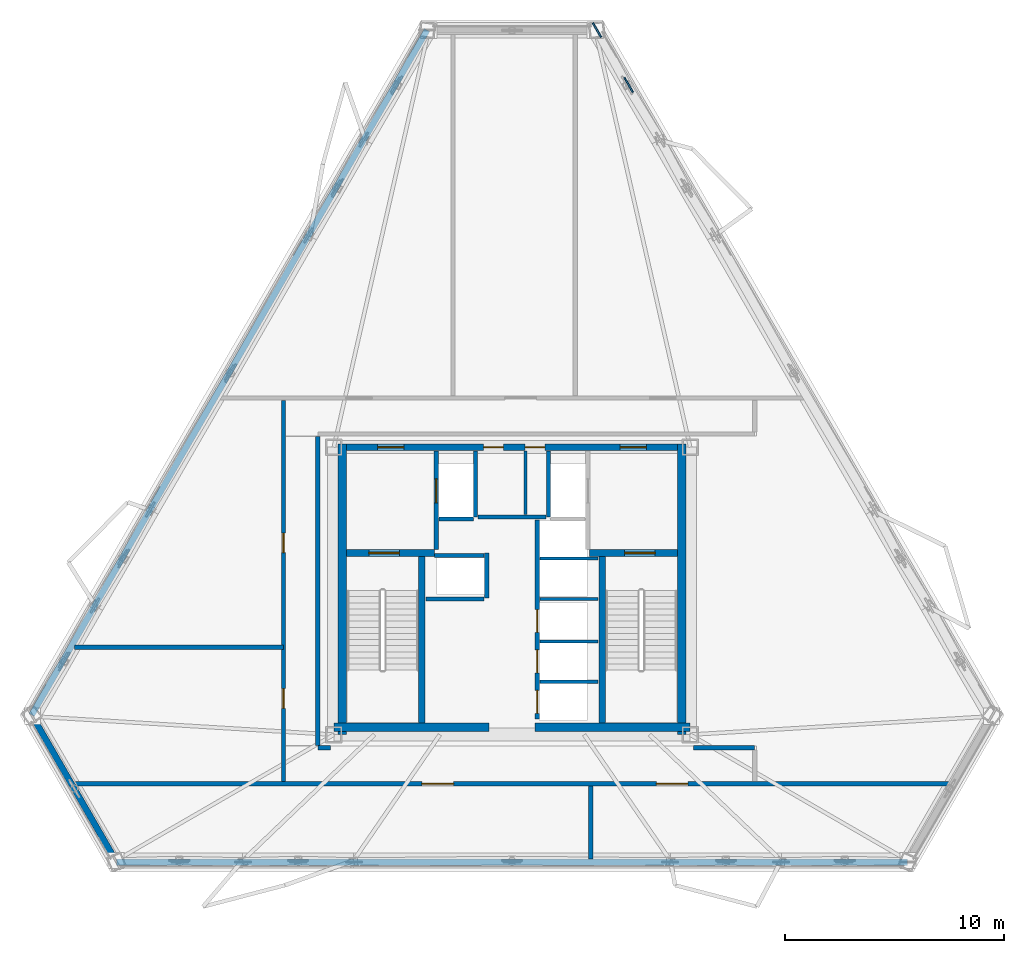
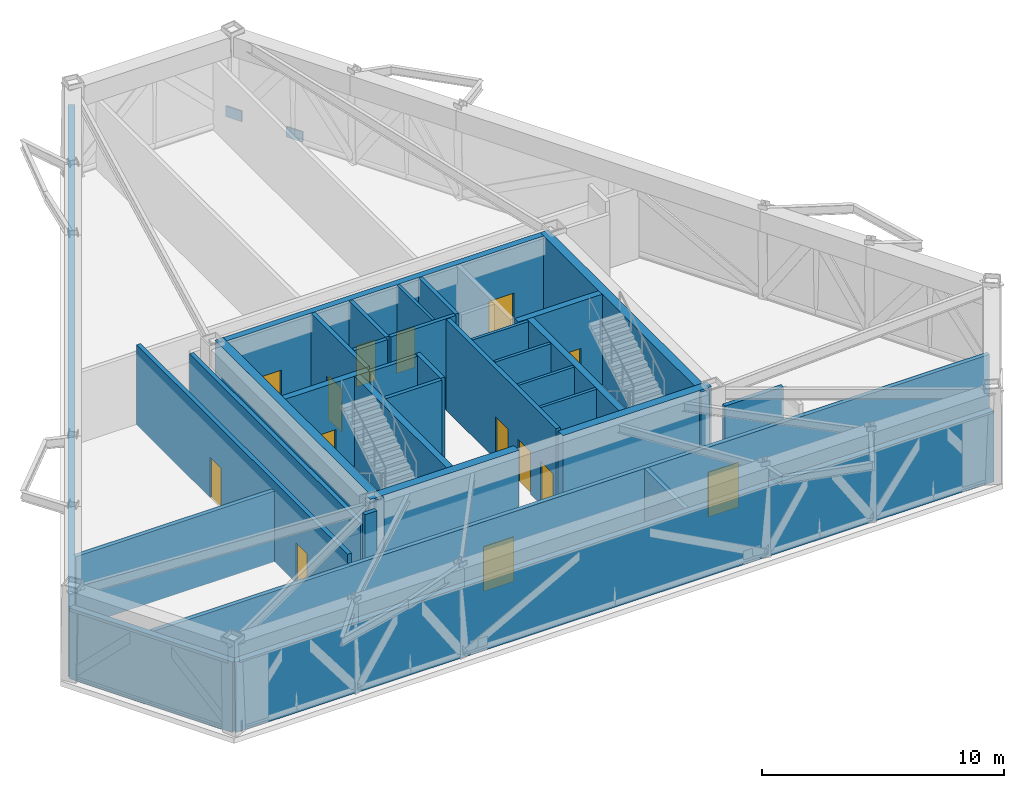
# One storey, part 6 of 10: 33 walls, 14 doors, 2 plates, 14 openings.
"""IFC4 building model written with IfcOpenShell, lengths in metres."""

from ifc_helpers import new_model, si_unit, direction, frame, frame_2d, origin, origin_2d, place, context, subcontext, project, spatial, rectangle, extrude, material, layer, layer_set, type_object, element, fill, save


model = new_model("IFC4")

# Units and contexts
model_context = context("Model", 3, precision=1e-05, world=origin(), true_north=direction((0.0, 1.0)))
body_context = subcontext(model_context, "Body", "Model", "MODEL_VIEW")
ifc_project = project(units=[si_unit("LENGTHUNIT", "METRE"), si_unit("AREAUNIT", "SQUARE_METRE"), si_unit("VOLUMEUNIT", "CUBIC_METRE"), si_unit("PLANEANGLEUNIT", "RADIAN"), si_unit("MASSUNIT", "GRAM", prefix="KILO")], contexts=[model_context])

# Site, building, storey
site_placement = place(None, origin())
site = spatial("IfcSite", under=ifc_project, at=site_placement, CompositionType="ELEMENT")
building_placement = place(site_placement, origin())
building = spatial("IfcBuilding", under=site, at=building_placement, Name="Oramaril Tower", CompositionType="ELEMENT")
storey_placement = place(building_placement, frame((0.0, 0.0, 189.0)))
storey = spatial("IfcBuildingStorey", under=building, at=storey_placement, Name="L50", CompositionType="ELEMENT", Elevation=189.0)

# Plates
ifc_material_1 = material(Name="Steel ASTM A572 Gr 50", Category="steel")
ifc_layer_1 = layer(ifc_material_1, 0.074951171875)
ifc_layer_set_1 = layer_set([ifc_layer_1], Name="PLT-G75")
plate_type = type_object("IfcPlateType", Name="PLT-G75", PredefinedType="USERDEFINED", material=ifc_layer_set_1)
plate_1_placement = place(storey_placement, frame((42.831787109375, 40.722412109375, 0.110107421875), z_axis=(0.0, 0.0, 1.0), x_axis=(-0.499996976998, 0.866027149108, 0.0)))
element("IfcPlate", 1, at=plate_1_placement, inside=storey, type_object=plate_type, Name="L50 Truss Mid-Chord Gusset Node KN-50B", ObjectType="GUSSET", PredefinedType="USERDEFINED", context=body_context, shape_type="SweptSolid", body=[
    extrude(rectangle(XDim=0.780029296875, YDim=0.074951171875, at=origin_2d()), origin(), (0.0, 0.0, 1.0), 0.52001953125),
])
plate_2_placement = place(storey_placement, frame((41.384765625, 43.228515625, 0.119873046875), z_axis=(0.0, 0.0, 1.0), x_axis=(-0.499996976998, 0.866027149108, 0.0)))
element("IfcPlate", 2, at=plate_2_placement, inside=storey, type_object=plate_type, Name="L50 Truss Base Gusset Node KN-50B", ObjectType="GUSSET", PredefinedType="USERDEFINED", context=body_context, shape_type="SweptSolid", body=[
    extrude(rectangle(XDim=0.760009765625, YDim=0.074951171875, at=origin_2d()), origin(), (0.0, 0.0, 1.0), 0.5400390625),
])

# Walls
ifc_material_2 = material(Name="Warm Cream Limestone", Category="masonry")
ifc_layer_2 = layer(ifc_material_2, 0.2900390625)
ifc_layer_set_2 = layer_set([ifc_layer_2], Name="WT-EXT29")
wall_type_1 = type_object("IfcWallType", Name="WT-EXT29", PredefinedType="SOLIDWALL", material=ifc_layer_set_2)
wall_1_placement = place(storey_placement, frame((15.527587890625, 11.900146484375, 0.0), z_axis=(0.0, 0.0, 1.0), x_axis=(0.50001529993, -0.866016570186, 0.0)))
element("IfcWall", 3, at=wall_1_placement, inside=storey, type_object=wall_type_1, Name="L50 Tower Limestone Facade Wall 1M", PredefinedType="SOLIDWALL", context=body_context, shape_type="SweptSolid", body=[
    extrude(rectangle(XDim=7.769775390625, YDim=0.2900390625, at=frame_2d((3.884765625, 0.0))), origin(), (0.0, 0.0, 1.0), 3.570068359375),
])
wall_2_placement = place(storey_placement, frame((19.41259765625, 5.17138671875, 0.0), z_axis=(0.0, 0.0, 1.0), x_axis=(1.0, 0.0, 0.0)))
element("IfcWall", 4, at=wall_2_placement, inside=storey, type_object=wall_type_1, Name="L50 Tower Limestone Facade Wall 2M", PredefinedType="SOLIDWALL", context=body_context, shape_type="SweptSolid", body=[
    extrude(rectangle(XDim=36.1748046875, YDim=0.2900390625, at=frame_2d((18.08740234375, 0.0))), origin(), (0.0, 0.0, 1.0), 3.570068359375),
])
wall_3_placement = place(storey_placement, frame((33.615234375, 43.228515625, 0.0), z_axis=(0.0, 0.0, 1.0), x_axis=(-0.500004232085, -0.866022960375, 0.0)))
element("IfcWall", 5, at=wall_3_placement, inside=storey, type_object=wall_type_1, Name="L50 Tower Limestone Facade Wall 6M", PredefinedType="SOLIDWALL", context=body_context, shape_type="SweptSolid", body=[
    extrude(rectangle(XDim=36.175048828125, YDim=0.2900390625, at=frame_2d((18.08740234375, 0.0))), origin(), (0.0, 0.0, 1.0), 3.570068359375),
])
ifc_material_3 = material(Name="Acoustic Gypsum Board Partition")
ifc_layer_3 = layer(ifc_material_3, 0.139892578125)
ifc_layer_set_3 = layer_set([ifc_layer_3], Name="WT-PT14")
wall_type_2 = type_object("IfcWallType", Name="WT-PT14", PredefinedType="PARTITIONING", material=ifc_layer_set_3)
for number, where, z_axis, x_axis, name in (
    (6, (38.780029296875, 13.419921875, 0.0), (0.0, 0.0, 1.0), (1.0, 0.0, 0.0), "L50 East Lift Divider"),
    (7, (38.780029296875, 15.27001953125, 0.0), (0.0, 0.0, 1.0), (1.0, 0.0, 0.0), "L50 East Lift Divider"),
    (8, (38.780029296875, 17.199951171875, 0.0), (0.0, 0.0, 1.0), (1.0, 0.0, 0.0), "L50 East Lift Divider"),
    (9, (38.780029296875, 19.050048828125, 0.0), (0.0, 0.0, 1.0), (1.0, 0.0, 0.0), "L50 East Lift Divider"),
):
    element("IfcWall", number, at=place(storey_placement, frame(where, z_axis=z_axis, x_axis=x_axis)), inside=storey, type_object=wall_type_2, Name=name, PredefinedType="PARTITIONING", context=body_context, shape_type="SweptSolid", body=[
        extrude(rectangle(XDim=2.659912109375, YDim=0.139892578125, at=frame_2d((1.330078125, 0.0))), origin(), (0.0, 0.0, 1.0), 4.580078125),
    ])
wall_4_placement = place(storey_placement, frame((38.110107421875, 21.06005859375, 0.0), z_axis=(0.0, 0.0, 1.0), x_axis=(0.0, 1.0, 0.0)))
element("IfcWall", 10, at=wall_4_placement, inside=storey, type_object=wall_type_2, Name="L50 Core Service Divider", PredefinedType="PARTITIONING", context=body_context, shape_type="SweptSolid", body=[
    extrude(rectangle(XDim=2.919921875, YDim=0.139892578125, at=frame_2d((1.4599609375, 0.0))), origin(), (0.0, 0.0, 1.0), 4.580078125),
])
ifc_material_4 = material(Name="Autoclaved Cellular Concrete Block", Category="concrete")
ifc_layer_4 = layer(ifc_material_4, 0.179931640625)
ifc_layer_set_4 = layer_set([ifc_layer_4], Name="WT-PT18")
wall_type_3 = type_object("IfcWallType", Name="WT-PT18", PredefinedType="PARTITIONING", material=ifc_layer_set_4)
wall_5_placement = place(storey_placement, frame((35.840087890625, 20.9599609375, 0.0), z_axis=(0.0, 0.0, 1.0), x_axis=(0.0, 1.0, 0.0)))
element("IfcWall", 11, at=wall_5_placement, inside=storey, type_object=wall_type_3, Name="L50 FL-1 East Shaft Wall", PredefinedType="PARTITIONING", context=body_context, shape_type="SweptSolid", body=[
    extrude(rectangle(XDim=3.02001953125, YDim=0.179931640625, at=frame_2d((1.510009765625, 0.0))), origin(), (0.0, 0.0, 1.0), 4.580078125),
])
wall_6_placement = place(storey_placement, frame((34.159912109375, 20.860107421875, 0.0), z_axis=(0.0, 0.0, 1.0), x_axis=(1.0, 0.0, 0.0)))
element("IfcWall", 12, at=wall_6_placement, inside=storey, type_object=wall_type_3, Name="L50 FL-1 South Shaft Wall", PredefinedType="PARTITIONING", context=body_context, shape_type="SweptSolid", body=[
    extrude(rectangle(XDim=1.580078125, YDim=0.179931640625, at=frame_2d((0.7900390625, 0.0))), origin(), (0.0, 0.0, 1.0), 4.580078125),
])
wall_7_placement = place(storey_placement, frame((39.159912109375, 20.9599609375, 0.0), z_axis=(0.0, 0.0, 1.0), x_axis=(0.0, 1.0, 0.0)))
element("IfcWall", 13, at=wall_7_placement, inside=storey, type_object=wall_type_3, Name="L50 FL-2 West Shaft Wall", PredefinedType="PARTITIONING", context=body_context, shape_type="SweptSolid", body=[
    extrude(rectangle(XDim=3.02001953125, YDim=0.179931640625, at=frame_2d((1.510009765625, 0.0))), origin(), (0.0, 0.0, 1.0), 4.580078125),
])
wall_8_placement = place(storey_placement, frame((33.949951171875, 19.199951171875, 0.0), z_axis=(0.0, 0.0, 1.0), x_axis=(1.0, 0.0, 0.0)))
element("IfcWall", 14, at=wall_8_placement, inside=storey, type_object=wall_type_3, Name="L50 High-Rise Lift H1 North Shaft Wall", PredefinedType="PARTITIONING", context=body_context, shape_type="SweptSolid", body=[
    extrude(rectangle(XDim=2.27001953125, YDim=0.179931640625, at=frame_2d((1.135009765625, 0.0))), origin(), (0.0, 0.0, 1.0), 4.580078125),
])
wall_9_placement = place(storey_placement, frame((33.56005859375, 17.199951171875, 0.0), z_axis=(0.0, 0.0, 1.0), x_axis=(1.0, 0.0, 0.0)))
element("IfcWall", 15, at=wall_9_placement, inside=storey, type_object=wall_type_3, Name="L50 High-Rise Lift H1 South Wall", PredefinedType="PARTITIONING", context=body_context, shape_type="SweptSolid", body=[
    extrude(rectangle(XDim=2.659912109375, YDim=0.179931640625, at=frame_2d((1.330078125, 0.0))), origin(), (0.0, 0.0, 1.0), 4.580078125),
])
wall_10_placement = place(storey_placement, frame((35.949951171875, 20.949951171875, 0.0), z_axis=(0.0, 0.0, 1.0), x_axis=(1.0, 0.0, 0.0)))
element("IfcWall", 16, at=wall_10_placement, inside=storey, type_object=wall_type_3, Name="L50 Lift Lobby North Partition", PredefinedType="PARTITIONING", context=body_context, shape_type="SweptSolid", body=[
    extrude(rectangle(XDim=3.10009765625, YDim=0.179931640625, at=frame_2d((1.550048828125, 0.0))), origin(), (0.0, 0.0, 1.0), 4.580078125),
])

# Wall, openings, doors
ifc_material_5 = material(Name="Autoclaved Cellular Concrete Block", Category="concrete")
ifc_layer_5 = layer(ifc_material_5, 0.199951171875)
ifc_layer_set_5 = layer_set([ifc_layer_5], Name="WT-PT20")
wall_type_4 = type_object("IfcWallType", Name="WT-PT20", PredefinedType="PARTITIONING", material=ifc_layer_set_5)
wall_11_placement = place(storey_placement, frame((17.5185546875, 8.75, 0.0), z_axis=(0.0, 0.0, 1.0), x_axis=(1.0, 0.0, 0.0)))
wall_11 = element("IfcWall", 17, at=wall_11_placement, inside=storey, type_object=wall_type_4, Name="L50 Interior Partition PT-20", PredefinedType="PARTITIONING", context=body_context, shape_type="SweptSolid", body=[
    extrude(rectangle(XDim=39.962890625, YDim=0.199951171875, at=frame_2d((19.9814453125, 0.0))), origin(), (0.0, 0.0, 1.0), 3.570068359375),
])
opening_1_placement = place(wall_11_placement, frame((15.857421875, 0.0, 0.0)))
opening_1 = element("IfcOpeningElement", 18, at=opening_1_placement, cuts=wall_11, Name="Opening D-L50-01", PredefinedType="OPENING", context=body_context, shape_type="SweptSolid", body=[
    extrude(rectangle(XDim=1.449951171875, YDim=2.25, at=frame_2d((0.72509765625, 1.125))), frame((0.0, 0.10009765625, 0.0), z_axis=(0.0, -1.0, 0.0), x_axis=(1.0, 0.0, 0.0)), (0.0, 0.0, 1.0), 0.199951171875),
])
opening_2_placement = place(wall_11_placement, frame((26.58056640625, 0.0, 0.0)))
opening_2 = element("IfcOpeningElement", 19, at=opening_2_placement, cuts=wall_11, Name="Opening D-L50-02", PredefinedType="OPENING", context=body_context, shape_type="SweptSolid", body=[
    extrude(rectangle(XDim=1.449951171875, YDim=2.25, at=frame_2d((0.72509765625, 1.125))), frame((0.0, 0.10009765625, 0.0), z_axis=(0.0, -1.0, 0.0), x_axis=(1.0, 0.0, 0.0)), (0.0, 0.0, 1.0), 0.199951171875),
])
ifc_material_6 = material(Name="Painted Galvanised Steel", Category="steel")
door_type_1 = type_object("IfcDoorType", Name="DT-PLT", OperationType="NOTDEFINED", PredefinedType="DOOR", material=ifc_material_6)
door_1_placement = place(opening_1_placement, origin())
door_1 = element("IfcDoor", 20, at=door_1_placement, inside=storey, type_object=door_type_1, Name="L50 L50 Chiller Plant Room Door D-L50-01", OperationType="SINGLE_SWING_RIGHT", OverallHeight=2.25, OverallWidth=1.449951171875, PredefinedType="DOOR", context=body_context, shape_type="SweptSolid", body=[
    extrude(rectangle(XDim=1.449951171875, YDim=2.25, at=frame_2d((0.72509765625, 1.125))), frame((0.0, 0.02490234375, 0.0), z_axis=(0.0, -1.0, 0.0), x_axis=(1.0, 0.0, 0.0)), (0.0, 0.0, 1.0), 0.050048828125),
])
fill(opening_1, door_1)
door_2_placement = place(opening_2_placement, origin())
door_2 = element("IfcDoor", 21, at=door_2_placement, inside=storey, type_object=door_type_1, Name="L50 L50 Air Handling Plant Room Door D-L50-02", OperationType="SINGLE_SWING_LEFT", OverallHeight=2.25, OverallWidth=1.449951171875, PredefinedType="DOOR", context=body_context, shape_type="SweptSolid", body=[
    extrude(rectangle(XDim=1.449951171875, YDim=2.25, at=frame_2d((0.72509765625, 1.125))), frame((0.0, 0.02490234375, 0.0), z_axis=(0.0, -1.0, 0.0), x_axis=(1.0, 0.0, 0.0)), (0.0, 0.0, 1.0), 0.050048828125),
])
fill(opening_2, door_2)

# Walls
wall_12_placement = place(storey_placement, frame((28.6201171875, 10.39990234375, 0.0), z_axis=(0.0, 0.0, 1.0), x_axis=(1.0, 0.0, 0.0)))
element("IfcWall", 22, at=wall_12_placement, inside=storey, type_object=wall_type_4, Name="L50 Interior Partition PT-20", PredefinedType="PARTITIONING", context=body_context, shape_type="SweptSolid", body=[
    extrude(rectangle(XDim=0.579833984375, YDim=0.199951171875, at=frame_2d((0.2900390625, 0.0))), origin(), (0.0, 0.0, 1.0), 4.580078125),
])
wall_13_placement = place(storey_placement, frame((45.800048828125, 10.39990234375, 0.0), z_axis=(0.0, 0.0, 1.0), x_axis=(1.0, 0.0, 0.0)))
element("IfcWall", 23, at=wall_13_placement, inside=storey, type_object=wall_type_4, Name="L50 Interior Partition PT-20", PredefinedType="PARTITIONING", context=body_context, shape_type="SweptSolid", body=[
    extrude(rectangle(XDim=2.800048828125, YDim=0.199951171875, at=frame_2d((1.39990234375, 0.0))), origin(), (0.0, 0.0, 1.0), 4.0419921875),
])
wall_14_placement = place(storey_placement, frame((17.489501953125, 15.0, 0.0), z_axis=(0.0, 0.0, 1.0), x_axis=(1.0, 0.0, 0.0)))
element("IfcWall", 24, at=wall_14_placement, inside=storey, type_object=wall_type_4, Name="L50 Interior Partition PT-20", PredefinedType="PARTITIONING", context=body_context, shape_type="SweptSolid", body=[
    extrude(rectangle(XDim=9.560546875, YDim=0.199951171875, at=frame_2d((4.7802734375, 0.0))), origin(), (0.0, 0.0, 1.0), 3.570068359375),
])

# Wall, openings, doors
wall_15_placement = place(storey_placement, frame((27.050048828125, 8.85400390625, 0.0), z_axis=(0.0, 0.0, 1.0), x_axis=(0.0, 1.0, 0.0)))
wall_15 = element("IfcWall", 25, at=wall_15_placement, inside=storey, type_object=wall_type_4, Name="L50 Interior Partition PT-20", PredefinedType="PARTITIONING", context=body_context, shape_type="SweptSolid", body=[
    extrude(rectangle(XDim=17.44189453125, YDim=0.199951171875, at=frame_2d((8.720947265625, 0.0))), origin(), (0.0, 0.0, 1.0), 4.0419921875),
])
opening_3_placement = place(wall_15_placement, frame((3.3486328125, 0.0, 0.0)))
opening_3 = element("IfcOpeningElement", 26, at=opening_3_placement, cuts=wall_15, Name="Opening D-L50-06", PredefinedType="OPENING", context=body_context, shape_type="SweptSolid", body=[
    extrude(rectangle(XDim=0.89990234375, YDim=2.050048828125, at=frame_2d((0.449951171875, 1.02490234375))), frame((0.0, 0.10009765625, 0.0), z_axis=(0.0, -1.0, 0.0), x_axis=(1.0, 0.0, 0.0)), (0.0, 0.0, 1.0), 0.199951171875),
])
opening_4_placement = place(wall_15_placement, frame((10.47021484375, 0.0, 0.0)))
opening_4 = element("IfcOpeningElement", 27, at=opening_4_placement, cuts=wall_15, Name="Opening D-L50-07", PredefinedType="OPENING", context=body_context, shape_type="SweptSolid", body=[
    extrude(rectangle(XDim=0.89990234375, YDim=2.050048828125, at=frame_2d((0.449951171875, 1.02490234375))), frame((0.0, 0.10009765625, 0.0), z_axis=(0.0, -1.0, 0.0), x_axis=(1.0, 0.0, 0.0)), (0.0, 0.0, 1.0), 0.199951171875),
])
ifc_material_7 = material(Name="Painted Galvanised Steel", Category="steel")
door_type_2 = type_object("IfcDoorType", Name="DT-SVC", OperationType="NOTDEFINED", PredefinedType="DOOR", material=ifc_material_7)
door_3_placement = place(opening_3_placement, origin())
door_3 = element("IfcDoor", 28, at=door_3_placement, inside=storey, type_object=door_type_2, Name="L50 L50 Water Booster Plant Room Door D-L50-06", OperationType="SINGLE_SWING_LEFT", OverallHeight=2.050048828125, OverallWidth=0.89990234375, PredefinedType="DOOR", context=body_context, shape_type="SweptSolid", body=[
    extrude(rectangle(XDim=0.89990234375, YDim=2.050048828125, at=frame_2d((0.449951171875, 1.02490234375))), frame((0.0, 0.02490234375, 0.0), z_axis=(0.0, -1.0, 0.0), x_axis=(1.0, 0.0, 0.0)), (0.0, 0.0, 1.0), 0.050048828125),
])
fill(opening_3, door_3)
door_4_placement = place(opening_4_placement, origin())
door_4 = element("IfcDoor", 29, at=door_4_placement, inside=storey, type_object=door_type_2, Name="L50 L50 BMS and Controls Plant Room Door D-L50-07", OperationType="SINGLE_SWING_RIGHT", OverallHeight=2.050048828125, OverallWidth=0.89990234375, PredefinedType="DOOR", context=body_context, shape_type="SweptSolid", body=[
    extrude(rectangle(XDim=0.89990234375, YDim=2.050048828125, at=frame_2d((0.449951171875, 1.02490234375))), frame((0.0, 0.02490234375, 0.0), z_axis=(0.0, -1.0, 0.0), x_axis=(1.0, 0.0, 0.0)), (0.0, 0.0, 1.0), 0.050048828125),
])
fill(opening_4, door_4)

# Walls
wall_16_placement = place(storey_placement, frame((28.6201171875, 10.50390625, 0.0), z_axis=(0.0, 0.0, 1.0), x_axis=(0.0, 1.0, 0.0)))
element("IfcWall", 30, at=wall_16_placement, inside=storey, type_object=wall_type_4, Name="L50 Interior Partition PT-20", PredefinedType="PARTITIONING", context=body_context, shape_type="SweptSolid", body=[
    extrude(rectangle(XDim=14.14208984375, YDim=0.199951171875, at=frame_2d((7.071044921875, 0.0))), origin(), (0.0, 0.0, 1.0), 4.0419921875),
])
wall_17_placement = place(storey_placement, frame((41.10009765625, 5.3203125, 0.0), z_axis=(0.0, 0.0, 1.0), x_axis=(0.0, 1.0, 0.0)))
element("IfcWall", 31, at=wall_17_placement, inside=storey, type_object=wall_type_4, Name="L50 Interior Partition PT-20", PredefinedType="PARTITIONING", context=body_context, shape_type="SweptSolid", body=[
    extrude(rectangle(XDim=3.32568359375, YDim=0.199951171875, at=frame_2d((1.662841796875, 0.0))), origin(), (0.0, 0.0, 1.0), 3.570068359375),
])

# Wall, openings, doors
ifc_material_8 = material(Name="Concrete C50/60", Category="concrete")
ifc_layer_6 = layer(ifc_material_8, 0.300048828125)
ifc_layer_set_6 = layer_set([ifc_layer_6], Name="WT-SH30")
wall_type_5 = type_object("IfcWallType", Name="WT-SH30", PredefinedType="SHEAR", material=ifc_layer_set_6)
wall_18_placement = place(storey_placement, frame((29.64990234375, 24.14990234375, 0.0), z_axis=(0.0, 0.0, 1.0), x_axis=(1.0, 0.0, 0.0)))
wall_18 = element("IfcWall", 32, at=wall_18_placement, inside=storey, type_object=wall_type_5, Name="L50 Core Shear Wall CW-N", PredefinedType="SHEAR", context=body_context, shape_type="SweptSolid", body=[
    extrude(rectangle(XDim=15.7001953125, YDim=0.300048828125, at=frame_2d((7.85009765625, 0.0))), origin(), (0.0, 0.0, 1.0), 4.580078125),
])
opening_5_placement = place(wall_18_placement, frame((1.699951171875, 0.0, 0.0)))
opening_5 = element("IfcOpeningElement", 33, at=opening_5_placement, cuts=wall_18, Name="Opening D-L50-FFL1", PredefinedType="OPENING", context=body_context, shape_type="SweptSolid", body=[
    extrude(rectangle(XDim=1.199951171875, YDim=2.199951171875, at=frame_2d((0.60009765625, 1.10009765625))), frame((0.0, 0.14990234375, 0.0), z_axis=(0.0, -1.0, 0.0), x_axis=(1.0, 0.0, 0.0)), (0.0, 0.0, 1.0), 0.300048828125),
])
opening_6_placement = place(wall_18_placement, frame((12.800048828125, 0.0, 0.0)))
opening_6 = element("IfcOpeningElement", 34, at=opening_6_placement, cuts=wall_18, Name="Opening D-L50-FFL2", PredefinedType="OPENING", context=body_context, shape_type="SweptSolid", body=[
    extrude(rectangle(XDim=1.199951171875, YDim=2.199951171875, at=frame_2d((0.60009765625, 1.10009765625))), frame((0.0, 0.14990234375, 0.0), z_axis=(0.0, -1.0, 0.0), x_axis=(1.0, 0.0, 0.0)), (0.0, 0.0, 1.0), 0.300048828125),
])
opening_7_placement = place(wall_18_placement, frame((6.550048828125, 0.0, 0.0)))
opening_7 = element("IfcOpeningElement", 35, at=opening_7_placement, cuts=wall_18, Name="Opening D-L50-SV1", PredefinedType="OPENING", context=body_context, shape_type="SweptSolid", body=[
    extrude(rectangle(XDim=0.89990234375, YDim=2.050048828125, at=frame_2d((0.449951171875, 1.02490234375))), frame((0.0, 0.14990234375, 0.0), z_axis=(0.0, -1.0, 0.0), x_axis=(1.0, 0.0, 0.0)), (0.0, 0.0, 1.0), 0.300048828125),
])
opening_8_placement = place(wall_18_placement, frame((8.449951171875, 0.0, 0.0)))
opening_8 = element("IfcOpeningElement", 36, at=opening_8_placement, cuts=wall_18, Name="Opening D-L50-SV2", PredefinedType="OPENING", context=body_context, shape_type="SweptSolid", body=[
    extrude(rectangle(XDim=0.89990234375, YDim=2.050048828125, at=frame_2d((0.449951171875, 1.02490234375))), frame((0.0, 0.14990234375, 0.0), z_axis=(0.0, -1.0, 0.0), x_axis=(1.0, 0.0, 0.0)), (0.0, 0.0, 1.0), 0.300048828125),
])
ifc_material_9 = material(Name="Painted Galvanised Steel", Category="steel")
door_type_3 = type_object("IfcDoorType", Name="DT-FFL", OperationType="NOTDEFINED", PredefinedType="DOOR", material=ifc_material_9)
door_5_placement = place(opening_5_placement, origin())
door_5 = element("IfcDoor", 37, at=door_5_placement, inside=storey, type_object=door_type_3, Name="L50 Firefighting Lobby 1 Fire Door", OperationType="SINGLE_SWING_LEFT", OverallHeight=2.199951171875, OverallWidth=1.199951171875, PredefinedType="DOOR", context=body_context, shape_type="SweptSolid", body=[
    extrude(rectangle(XDim=1.199951171875, YDim=2.199951171875, at=frame_2d((0.60009765625, 1.10009765625))), frame((0.0, 0.02490234375, 0.0), z_axis=(0.0, -1.0, 0.0), x_axis=(1.0, 0.0, 0.0)), (0.0, 0.0, 1.0), 0.050048828125),
])
fill(opening_5, door_5)
door_6_placement = place(opening_6_placement, origin())
door_6 = element("IfcDoor", 38, at=door_6_placement, inside=storey, type_object=door_type_3, Name="L50 Firefighting Lobby 2 Fire Door", OperationType="SINGLE_SWING_RIGHT", OverallHeight=2.199951171875, OverallWidth=1.199951171875, PredefinedType="DOOR", context=body_context, shape_type="SweptSolid", body=[
    extrude(rectangle(XDim=1.199951171875, YDim=2.199951171875, at=frame_2d((0.60009765625, 1.10009765625))), frame((0.0, 0.02490234375, 0.0), z_axis=(0.0, -1.0, 0.0), x_axis=(1.0, 0.0, 0.0)), (0.0, 0.0, 1.0), 0.050048828125),
])
fill(opening_6, door_6)
door_7_placement = place(opening_7_placement, origin())
door_7 = element("IfcDoor", 39, at=door_7_placement, inside=storey, type_object=door_type_2, Name="L50 Core Service Store 1 Door", OperationType="SINGLE_SWING_LEFT", OverallHeight=2.050048828125, OverallWidth=0.89990234375, PredefinedType="DOOR", context=body_context, shape_type="SweptSolid", body=[
    extrude(rectangle(XDim=0.89990234375, YDim=2.050048828125, at=frame_2d((0.449951171875, 1.02490234375))), frame((0.0, 0.02490234375, 0.0), z_axis=(0.0, -1.0, 0.0), x_axis=(1.0, 0.0, 0.0)), (0.0, 0.0, 1.0), 0.050048828125),
])
fill(opening_7, door_7)
door_8_placement = place(opening_8_placement, origin())
door_8 = element("IfcDoor", 40, at=door_8_placement, inside=storey, type_object=door_type_2, Name="L50 Core Service Store 2 Door", OperationType="SINGLE_SWING_RIGHT", OverallHeight=2.050048828125, OverallWidth=0.89990234375, PredefinedType="DOOR", context=body_context, shape_type="SweptSolid", body=[
    extrude(rectangle(XDim=0.89990234375, YDim=2.050048828125, at=frame_2d((0.449951171875, 1.02490234375))), frame((0.0, 0.02490234375, 0.0), z_axis=(0.0, -1.0, 0.0), x_axis=(1.0, 0.0, 0.0)), (0.0, 0.0, 1.0), 0.050048828125),
])
fill(opening_8, door_8)

# Wall, opening, door
wall_19_placement = place(storey_placement, frame((29.93994140625, 19.31005859375, 0.0), z_axis=(0.0, 0.0, 1.0), x_axis=(1.0, 0.0, 0.0)))
wall_19 = element("IfcWall", 41, at=wall_19_placement, inside=storey, type_object=wall_type_5, Name="L50 Core Shear Wall CW-ST1N", PredefinedType="SHEAR", context=body_context, shape_type="SweptSolid", body=[
    extrude(rectangle(XDim=4.010009765625, YDim=0.300048828125, at=frame_2d((2.0048828125, 0.0))), origin(), (0.0, 0.0, 1.0), 4.580078125),
])
opening_9_placement = place(wall_19_placement, frame((1.010009765625, 0.0, 0.0)))
opening_9 = element("IfcOpeningElement", 42, at=opening_9_placement, cuts=wall_19, Name="Opening D-L50-ST1", PredefinedType="OPENING", context=body_context, shape_type="SweptSolid", body=[
    extrude(rectangle(XDim=1.39990234375, YDim=2.199951171875, at=frame_2d((0.699951171875, 1.10009765625))), frame((0.0, 0.14990234375, 0.0), z_axis=(0.0, -1.0, 0.0), x_axis=(1.0, 0.0, 0.0)), (0.0, 0.0, 1.0), 0.300048828125),
])
ifc_material_10 = material(Name="Painted Galvanised Steel", Category="steel")
door_type_4 = type_object("IfcDoorType", Name="DT-ST", OperationType="NOTDEFINED", PredefinedType="DOOR", material=ifc_material_10)
door_9_placement = place(opening_9_placement, origin())
door_9 = element("IfcDoor", 43, at=door_9_placement, inside=storey, type_object=door_type_4, Name="L50 Protected Stair ST-1 Fire Door", OperationType="SINGLE_SWING_LEFT", OverallHeight=2.199951171875, OverallWidth=1.39990234375, PredefinedType="DOOR", context=body_context, shape_type="SweptSolid", body=[
    extrude(rectangle(XDim=1.39990234375, YDim=2.199951171875, at=frame_2d((0.699951171875, 1.10009765625))), frame((0.0, 0.02490234375, 0.0), z_axis=(0.0, -1.0, 0.0), x_axis=(1.0, 0.0, 0.0)), (0.0, 0.0, 1.0), 0.050048828125),
])
fill(opening_9, door_9)

wall_20_placement = place(storey_placement, frame((41.050048828125, 19.31005859375, 0.0), z_axis=(0.0, 0.0, 1.0), x_axis=(1.0, 0.0, 0.0)))
wall_20 = element("IfcWall", 44, at=wall_20_placement, inside=storey, type_object=wall_type_5, Name="L50 Core Shear Wall CW-ST2N", PredefinedType="SHEAR", context=body_context, shape_type="SweptSolid", body=[
    extrude(rectangle(XDim=4.010009765625, YDim=0.300048828125, at=frame_2d((2.0048828125, 0.0))), origin(), (0.0, 0.0, 1.0), 4.580078125),
])
opening_10_placement = place(wall_20_placement, frame((1.60009765625, 0.0, 0.0)))
opening_10 = element("IfcOpeningElement", 45, at=opening_10_placement, cuts=wall_20, Name="Opening D-L50-ST2", PredefinedType="OPENING", context=body_context, shape_type="SweptSolid", body=[
    extrude(rectangle(XDim=1.39990234375, YDim=2.199951171875, at=frame_2d((0.699951171875, 1.10009765625))), frame((0.0, 0.14990234375, 0.0), z_axis=(0.0, -1.0, 0.0), x_axis=(1.0, 0.0, 0.0)), (0.0, 0.0, 1.0), 0.300048828125),
])
door_10_placement = place(opening_10_placement, origin())
door_10 = element("IfcDoor", 46, at=door_10_placement, inside=storey, type_object=door_type_4, Name="L50 Protected Stair ST-2 Fire Door", OperationType="SINGLE_SWING_RIGHT", OverallHeight=2.199951171875, OverallWidth=1.39990234375, PredefinedType="DOOR", context=body_context, shape_type="SweptSolid", body=[
    extrude(rectangle(XDim=1.39990234375, YDim=2.199951171875, at=frame_2d((0.699951171875, 1.10009765625))), frame((0.0, 0.02490234375, 0.0), z_axis=(0.0, -1.0, 0.0), x_axis=(1.0, 0.0, 0.0)), (0.0, 0.0, 1.0), 0.050048828125),
])
fill(opening_10, door_10)

# Walls
for number, where, z_axis, x_axis, name in (
    (47, (33.3798828125, 11.5400390625, 0.0), (0.0, 0.0, 1.0), (0.0, 1.0, 0.0), "L50 Core Shear Wall CW-ST1E"),
    (48, (41.6201171875, 11.5400390625, 0.0), (0.0, 0.0, 1.0), (0.0, 1.0, 0.0), "L50 Core Shear Wall CW-ST2W"),
):
    element("IfcWall", number, at=place(storey_placement, frame(where, z_axis=z_axis, x_axis=x_axis)), inside=storey, type_object=wall_type_5, Name=name, PredefinedType="SHEAR", context=body_context, shape_type="SweptSolid", body=[
        extrude(rectangle(XDim=7.619873046875, YDim=0.300048828125, at=frame_2d((3.81005859375, 0.0))), origin(), (0.0, 0.0, 1.0), 4.580078125),
    ])
ifc_material_11 = material(Name="Concrete C50/60", Category="concrete")
ifc_layer_7 = layer(ifc_material_11, 0.39990234375)
ifc_layer_set_7 = layer_set([ifc_layer_7], Name="WT-SH40")
wall_type_6 = type_object("IfcWallType", Name="WT-SH40", PredefinedType="SHEAR", material=ifc_layer_set_7)
for number, where, z_axis, x_axis, name in (
    (49, (29.739990234375, 11.0, 0.0), (0.0, 0.0, 1.0), (0.0, 1.0, 0.0), "L50 Core Shear Wall CW-W"),
    (50, (45.260009765625, 11.0, 0.0), (0.0, 0.0, 1.0), (0.0, 1.0, 0.0), "L50 Core Shear Wall CW-E"),
):
    element("IfcWall", number, at=place(storey_placement, frame(where, z_axis=z_axis, x_axis=x_axis)), inside=storey, type_object=wall_type_6, Name=name, PredefinedType="SHEAR", context=body_context, shape_type="SweptSolid", body=[
        extrude(rectangle(XDim=13.300048828125, YDim=0.39990234375, at=frame_2d((6.64990234375, 0.0))), origin(), (0.0, 0.0, 1.0), 4.580078125),
    ])
for number, where, z_axis, x_axis, name in (
    (51, (29.35009765625, 11.340087890625, 0.0), (0.0, 0.0, 1.0), (1.0, 0.0, 0.0), "L50 Core Shear Wall CW-SW"),
    (52, (38.550048828125, 11.340087890625, 0.0), (0.0, 0.0, 1.0), (1.0, 0.0, 0.0), "L50 Core Shear Wall CW-SE"),
):
    element("IfcWall", number, at=place(storey_placement, frame(where, z_axis=z_axis, x_axis=x_axis)), inside=storey, type_object=wall_type_6, Name=name, PredefinedType="SHEAR", context=body_context, shape_type="SweptSolid", body=[
        extrude(rectangle(XDim=7.099853515625, YDim=0.39990234375, at=frame_2d((3.5498046875, 0.0))), origin(), (0.0, 0.0, 1.0), 4.580078125),
    ])

# Wall, opening, door
ifc_material_12 = material(Name="Autoclaved Cellular Concrete Block", Category="concrete")
ifc_layer_8 = layer(ifc_material_12, 0.199951171875)
ifc_layer_set_8 = layer_set([ifc_layer_8], Name="WT-SHF20")
wall_type_7 = type_object("IfcWallType", Name="WT-SHF20", PredefinedType="PARTITIONING", material=ifc_layer_set_8)
wall_21_placement = place(storey_placement, frame((34.0400390625, 19.47998046875, 0.0), z_axis=(0.0, 0.0, 1.0), x_axis=(0.0, 1.0, 0.0)))
wall_21 = element("IfcWall", 53, at=wall_21_placement, inside=storey, type_object=wall_type_7, Name="L50 FL-1 Lobby Shaft Wall", PredefinedType="PARTITIONING", context=body_context, shape_type="SweptSolid", body=[
    extrude(rectangle(XDim=4.5, YDim=0.199951171875, at=frame_2d((2.25, 0.0))), origin(), (0.0, 0.0, 1.0), 4.580078125),
])
opening_11_placement = place(wall_21_placement, frame((2.1201171875, 0.0, 0.0)))
opening_11 = element("IfcOpeningElement", 54, at=opening_11_placement, cuts=wall_21, Name="Opening LD-L50-FL-1", PredefinedType="OPENING", context=body_context, shape_type="SweptSolid", body=[
    extrude(rectangle(XDim=1.10009765625, YDim=2.199951171875, at=frame_2d((0.550048828125, 1.10009765625))), frame((0.0, 0.10009765625, 0.0), z_axis=(0.0, -1.0, 0.0), x_axis=(1.0, 0.0, 0.0)), (0.0, 0.0, 1.0), 0.199951171875),
])
ifc_material_13 = material(Name="Stainless Steel 316L", Category="steel")
door_type_5 = type_object("IfcDoorType", Name="DT-LD1", OperationType="NOTDEFINED", PredefinedType="DOOR", material=ifc_material_13)
door_11_placement = place(opening_11_placement, origin())
door_11 = element("IfcDoor", 55, at=door_11_placement, inside=storey, type_object=door_type_5, Name="L50 Lift FL-1 Sliding Landing Door", OperationType="SLIDING_TO_LEFT", OverallHeight=2.199951171875, OverallWidth=1.10009765625, PredefinedType="DOOR", context=body_context, shape_type="SweptSolid", body=[
    extrude(rectangle(XDim=1.10009765625, YDim=2.199951171875, at=frame_2d((0.550048828125, 1.10009765625))), frame((0.0, 0.02490234375, 0.0), z_axis=(0.0, -1.0, 0.0), x_axis=(1.0, 0.0, 0.0)), (0.0, 0.0, 1.0), 0.050048828125),
])
fill(opening_11, door_11)

# Wall
wall_22_placement = place(storey_placement, frame((36.340087890625, 17.25, 0.0), z_axis=(0.0, 0.0, 1.0), x_axis=(0.0, 1.0, 0.0)))
element("IfcWall", 56, at=wall_22_placement, inside=storey, type_object=wall_type_7, Name="L50 High-Rise Lift H1 Front Wall", PredefinedType="PARTITIONING", context=body_context, shape_type="SweptSolid", body=[
    extrude(rectangle(XDim=2.070068359375, YDim=0.199951171875, at=frame_2d((1.03515625, 0.0))), origin(), (0.0, 0.0, 1.0), 4.580078125),
])

# Wall, openings, doors
wall_23_placement = place(storey_placement, frame((38.659912109375, 11.719970703125, 0.0), z_axis=(0.0, 0.0, 1.0), x_axis=(0.0, 1.0, 0.0)))
wall_23 = element("IfcWall", 57, at=wall_23_placement, inside=storey, type_object=wall_type_7, Name="L50 East Lift Bank Front Wall", PredefinedType="PARTITIONING", context=body_context, shape_type="SweptSolid", body=[
    extrude(rectangle(XDim=9.10009765625, YDim=0.199951171875, at=frame_2d((4.550048828125, 0.0))), origin(), (0.0, 0.0, 1.0), 4.580078125),
])
opening_12_placement = place(wall_23_placement, frame((0.2548828125, 0.0, 0.0)))
opening_12 = element("IfcOpeningElement", 58, at=opening_12_placement, cuts=wall_23, Name="Opening LD-L50-LP-M1", PredefinedType="OPENING", context=body_context, shape_type="SweptSolid", body=[
    extrude(rectangle(XDim=1.050048828125, YDim=2.14990234375, at=frame_2d((0.52490234375, 1.074951171875))), frame((0.0, 0.10009765625, 0.0), z_axis=(0.0, -1.0, 0.0), x_axis=(1.0, 0.0, 0.0)), (0.0, 0.0, 1.0), 0.199951171875),
])
opening_13_placement = place(wall_23_placement, frame((2.10498046875, 0.0, 0.0)))
opening_13 = element("IfcOpeningElement", 59, at=opening_13_placement, cuts=wall_23, Name="Opening LD-L50-LP-M2", PredefinedType="OPENING", context=body_context, shape_type="SweptSolid", body=[
    extrude(rectangle(XDim=1.050048828125, YDim=2.14990234375, at=frame_2d((0.52490234375, 1.074951171875))), frame((0.0, 0.10009765625, 0.0), z_axis=(0.0, -1.0, 0.0), x_axis=(1.0, 0.0, 0.0)), (0.0, 0.0, 1.0), 0.199951171875),
])
opening_14_placement = place(wall_23_placement, frame((3.955078125, 0.0, 0.0)))
opening_14 = element("IfcOpeningElement", 60, at=opening_14_placement, cuts=wall_23, Name="Opening LD-L50-LP-M3", PredefinedType="OPENING", context=body_context, shape_type="SweptSolid", body=[
    extrude(rectangle(XDim=1.050048828125, YDim=2.14990234375, at=frame_2d((0.52490234375, 1.074951171875))), frame((0.0, 0.10009765625, 0.0), z_axis=(0.0, -1.0, 0.0), x_axis=(1.0, 0.0, 0.0)), (0.0, 0.0, 1.0), 0.199951171875),
])
ifc_material_14 = material(Name="Stainless Steel 316L", Category="steel")
door_type_6 = type_object("IfcDoorType", Name="DT-LD2", OperationType="NOTDEFINED", PredefinedType="DOOR", material=ifc_material_14)
door_12_placement = place(opening_12_placement, origin())
door_12 = element("IfcDoor", 61, at=door_12_placement, inside=storey, type_object=door_type_6, Name="L50 Lift LP-M1 Sliding Landing Door", OperationType="SLIDING_TO_RIGHT", OverallHeight=2.14990234375, OverallWidth=1.050048828125, PredefinedType="DOOR", context=body_context, shape_type="SweptSolid", body=[
    extrude(rectangle(XDim=1.050048828125, YDim=2.14990234375, at=frame_2d((0.52490234375, 1.074951171875))), frame((0.0, 0.02490234375, 0.0), z_axis=(0.0, -1.0, 0.0), x_axis=(1.0, 0.0, 0.0)), (0.0, 0.0, 1.0), 0.050048828125),
])
fill(opening_12, door_12)
door_13_placement = place(opening_13_placement, origin())
door_13 = element("IfcDoor", 62, at=door_13_placement, inside=storey, type_object=door_type_6, Name="L50 Lift LP-M2 Sliding Landing Door", OperationType="SLIDING_TO_LEFT", OverallHeight=2.14990234375, OverallWidth=1.050048828125, PredefinedType="DOOR", context=body_context, shape_type="SweptSolid", body=[
    extrude(rectangle(XDim=1.050048828125, YDim=2.14990234375, at=frame_2d((0.52490234375, 1.074951171875))), frame((0.0, 0.02490234375, 0.0), z_axis=(0.0, -1.0, 0.0), x_axis=(1.0, 0.0, 0.0)), (0.0, 0.0, 1.0), 0.050048828125),
])
fill(opening_13, door_13)
door_14_placement = place(opening_14_placement, origin())
door_14 = element("IfcDoor", 63, at=door_14_placement, inside=storey, type_object=door_type_6, Name="L50 Lift LP-M3 Sliding Landing Door", OperationType="SLIDING_TO_RIGHT", OverallHeight=2.14990234375, OverallWidth=1.050048828125, PredefinedType="DOOR", context=body_context, shape_type="SweptSolid", body=[
    extrude(rectangle(XDim=1.050048828125, YDim=2.14990234375, at=frame_2d((0.52490234375, 1.074951171875))), frame((0.0, 0.02490234375, 0.0), z_axis=(0.0, -1.0, 0.0), x_axis=(1.0, 0.0, 0.0)), (0.0, 0.0, 1.0), 0.050048828125),
])
fill(opening_14, door_14)

save(model, "model.ifc")
